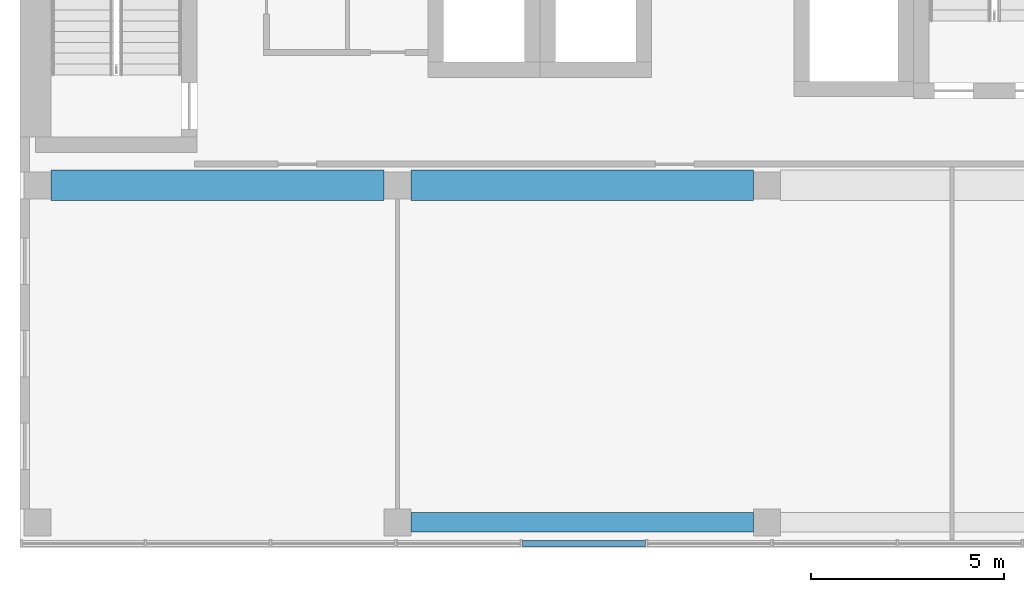
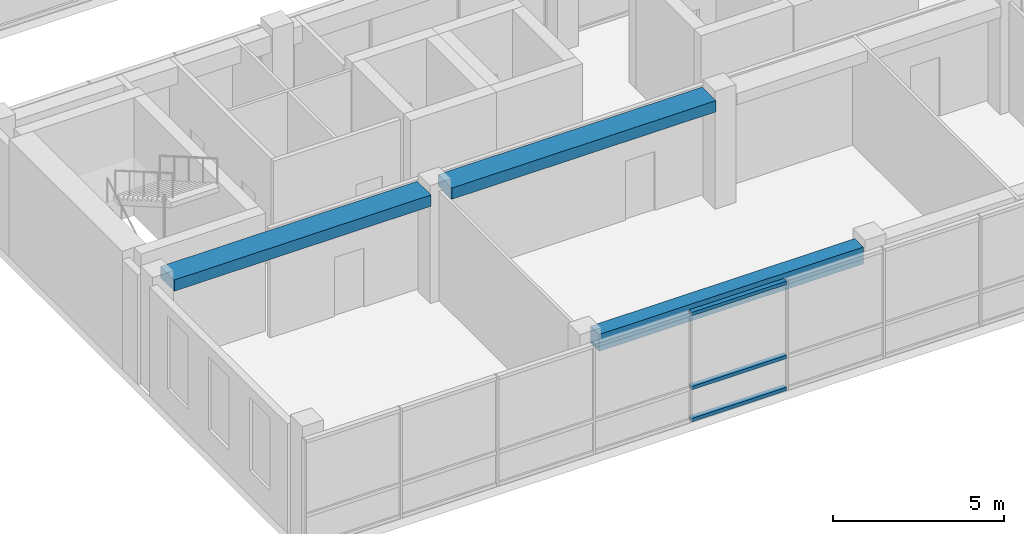
# One storey, part 3 of 27: 3 beams, 3 members, 1 element without a shape of its own.
"""IFC4 building model written with IfcOpenShell, lengths in metres."""

from ifc_helpers import new_model, si_unit, direction, frame, origin, origin_2d, place, context, subcontext, project, spatial, rectangle, hollow_rectangle, extrude, material, layer, layer_set, material_profile, profile_set, type_object, element, aggregate, save


model = new_model("IFC4")

# Units and contexts
model_context = context("Model", 3, precision=1e-05, world=origin(), true_north=direction((0.0, 1.0)))
body_context = subcontext(model_context, "Body", "Model", "MODEL_VIEW")
ifc_project = project(units=[si_unit("LENGTHUNIT", "METRE"), si_unit("AREAUNIT", "SQUARE_METRE"), si_unit("VOLUMEUNIT", "CUBIC_METRE"), si_unit("PLANEANGLEUNIT", "RADIAN"), si_unit("MASSUNIT", "GRAM", prefix="KILO")], contexts=[model_context])

# Site, building, storey
site_placement = place(None, origin())
site = spatial("IfcSite", under=ifc_project, at=site_placement, CompositionType="ELEMENT")
building_placement = place(site_placement, origin())
building = spatial("IfcBuilding", under=site, at=building_placement, Name="Nzadi Deep Aquarium and Research Tower", CompositionType="ELEMENT")
storey_placement = place(building_placement, frame((0.0, 0.0, 69.699951171875)))
storey = spatial("IfcBuildingStorey", under=building, at=storey_placement, Name="L14", CompositionType="ELEMENT", Elevation=69.699951171875)

# Beams
ifc_material_1 = material(Name="Concrete C35/45", Category="concrete")
ifc_material_profile_1 = material_profile(ifc_material_1, rectangle(XDim=0.5, YDim=0.60009765625, at=origin_2d()))
ifc_profile_set_1 = profile_set([ifc_material_profile_1], Name="Concrete C35/45")
beam_type_1 = type_object("IfcBeamType", Name="RC 500x600", PredefinedType="BEAM", material=ifc_profile_set_1)
beam_1_placement = place(storey_placement, frame((9.949951171875, 0.449951171875, 3.60009765625), z_axis=(1.0, 0.0, 0.0), x_axis=(0.0, 1.0, 0.0)))
element("IfcBeam", 1, at=beam_1_placement, inside=storey, type_object=beam_type_1, Name="B-Z1-L14-L1-2", PredefinedType="BEAM", context=body_context, shape_type="SweptSolid", body=[
    extrude(rectangle(XDim=0.5, YDim=0.60009765625, at=origin_2d()), origin(), (0.0, 0.0, 1.0), 8.900146484375),
])
ifc_material_2 = material(Name="Concrete C35/45", Category="concrete")
ifc_material_profile_2 = material_profile(ifc_material_2, rectangle(XDim=0.800048828125, YDim=0.39990234375, at=origin_2d()))
ifc_profile_set_2 = profile_set([ifc_material_profile_2], Name="Concrete C35/45")
beam_type_2 = type_object("IfcBeamType", Name="RC 800x400", PredefinedType="BEAM", material=ifc_profile_set_2)
beam_2_placement = place(storey_placement, frame((0.60009765625, 9.199951171875, 3.699951171875), z_axis=(1.0, 0.0, 0.0), x_axis=(0.0, 1.0, 0.0)))
element("IfcBeam", 2, at=beam_2_placement, inside=storey, type_object=beam_type_2, Name="B-Z1-L14-L2-1", PredefinedType="BEAM", context=body_context, shape_type="SweptSolid", body=[
    extrude(rectangle(XDim=0.800048828125, YDim=0.39990234375, at=origin_2d()), origin(), (0.0, 0.0, 1.0), 8.64990234375),
])
beam_3_placement = place(storey_placement, frame((9.949951171875, 9.199951171875, 3.699951171875), z_axis=(1.0, 0.0, 0.0), x_axis=(0.0, 1.0, 0.0)))
element("IfcBeam", 3, at=beam_3_placement, inside=storey, type_object=beam_type_2, Name="B-Z1-L14-L2-2", PredefinedType="BEAM", context=body_context, shape_type="SweptSolid", body=[
    extrude(rectangle(XDim=0.800048828125, YDim=0.39990234375, at=origin_2d()), origin(), (0.0, 0.0, 1.0), 8.900146484375),
])

# Curtain wall, members
ifc_material_3 = material(Name="Aluminium unitised frame", Category="aluminium")
ifc_layer = layer(ifc_material_3, 0.199951171875)
ifc_layer_set = layer_set([ifc_layer], Name="Aluminium unitised frame")
curtain_wall_type = type_object("IfcCurtainWallType", Name="Curtain wall Unitised 200", PredefinedType="NOTDEFINED", material=ifc_layer_set)
curtain_wall_placement = place(storey_placement, origin())
curtain_wall = element("IfcCurtainWall", 4, at=curtain_wall_placement, inside=storey, type_object=curtain_wall_type, Name="Unitised curtain wall blade A south L14", PredefinedType="NOTDEFINED")
ifc_material_4 = material(Name="Aluminium unitised frame", Category="aluminium")
ifc_material_profile_3 = material_profile(ifc_material_4, hollow_rectangle(XDim=0.159912109375, YDim=0.1201171875, WallThickness=0.0048828125, at=origin_2d()))
ifc_profile_set_3 = profile_set([ifc_material_profile_3], Name="Aluminium unitised frame")
member_type = type_object("IfcMemberType", Name="Transom 120x160 Unitised", PredefinedType="MULLION", material=ifc_profile_set_3)
member_1_placement = place(storey_placement, frame((12.8466796875, -0.10009765625, 0.06005859375), z_axis=(1.0, 0.0, 0.0), x_axis=(0.0, 1.0, 0.0)))
member_1 = element("IfcMember", 5, at=member_1_placement, type_object=member_type, Name="CW064 transom 5.1", PredefinedType="MULLION", context=body_context, shape_type="SweptSolid", body=[
    extrude(hollow_rectangle(XDim=0.159912109375, YDim=0.1201171875, WallThickness=0.0048828125, at=origin_2d()), origin(), (0.0, 0.0, 1.0), 3.194091796875),
])
member_2_placement = place(storey_placement, frame((12.8466796875, -0.10009765625, 1.199951171875), z_axis=(1.0, 0.0, 0.0), x_axis=(0.0, 1.0, 0.0)))
member_2 = element("IfcMember", 6, at=member_2_placement, type_object=member_type, Name="CW064 transom 5.2", PredefinedType="MULLION", context=body_context, shape_type="SweptSolid", body=[
    extrude(hollow_rectangle(XDim=0.159912109375, YDim=0.1201171875, WallThickness=0.0048828125, at=origin_2d()), origin(), (0.0, 0.0, 1.0), 3.194091796875),
])
member_3_placement = place(storey_placement, frame((12.8466796875, -0.10009765625, 3.840087890625), z_axis=(1.0, 0.0, 0.0), x_axis=(0.0, 1.0, 0.0)))
member_3 = element("IfcMember", 7, at=member_3_placement, type_object=member_type, Name="CW064 transom 5.3", PredefinedType="MULLION", context=body_context, shape_type="SweptSolid", body=[
    extrude(hollow_rectangle(XDim=0.159912109375, YDim=0.1201171875, WallThickness=0.0048828125, at=origin_2d()), origin(), (0.0, 0.0, 1.0), 3.194091796875),
])
aggregate(curtain_wall, [member_1, member_2, member_3])

save(model, "model.ifc")
